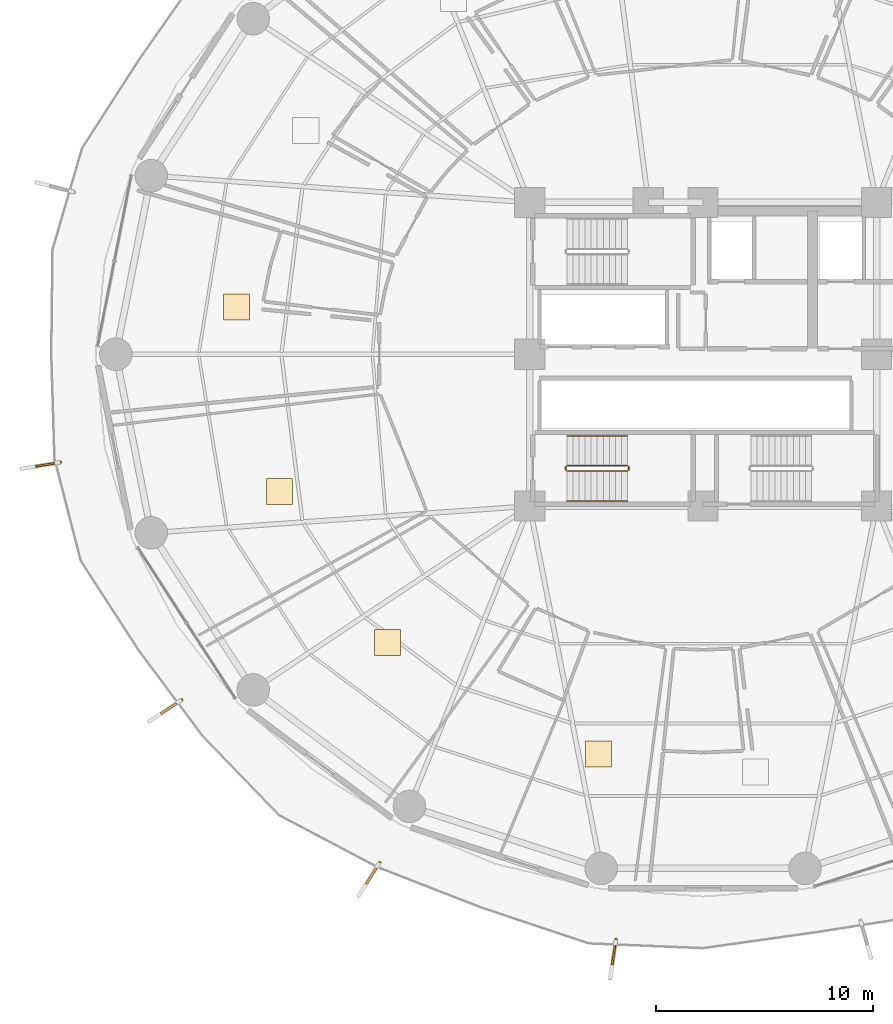
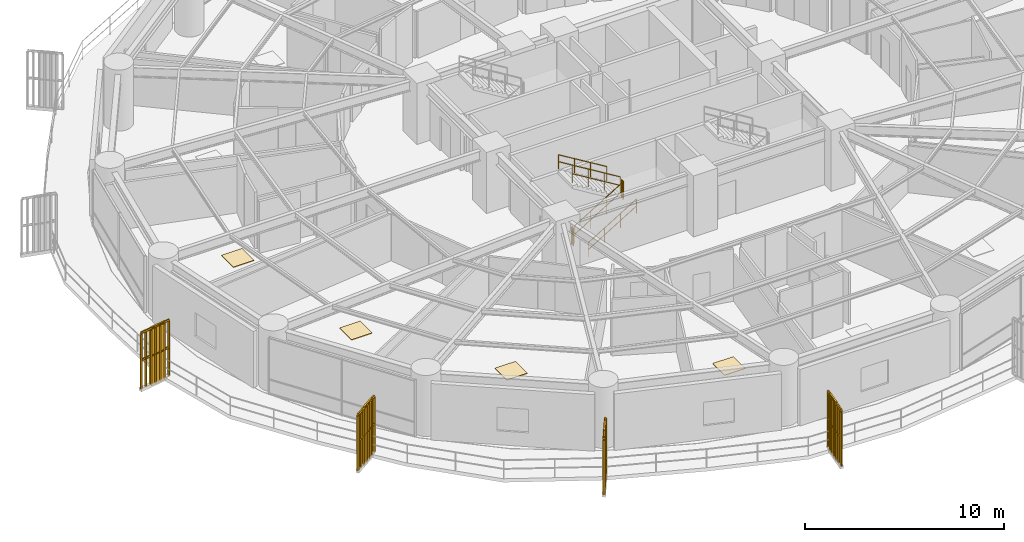
# One storey, part 29 of 33: 10 railings, 4 coverings, 4 shading devices.
"""IFC4 building model written with IfcOpenShell, lengths in metres."""

from ifc_helpers import new_model, si_unit, direction, frame, origin, origin_2d, place, context, subcontext, project, spatial, polyline, rectangle, outline, extrude, source, transform, mapped, material, layer, layer_set, type_object, element, save


model = new_model("IFC4")

# Units and contexts
model_context = context("Model", 3, precision=1e-05, world=origin(), true_north=direction((0.0, 1.0)))
body_context = subcontext(model_context, "Body", "Model", "MODEL_VIEW")
ifc_project = project(units=[si_unit("LENGTHUNIT", "METRE"), si_unit("AREAUNIT", "SQUARE_METRE"), si_unit("VOLUMEUNIT", "CUBIC_METRE"), si_unit("PLANEANGLEUNIT", "RADIAN"), si_unit("MASSUNIT", "GRAM", prefix="KILO")], contexts=[model_context])

# Site, building, storey
site_placement = place(None, origin())
site = spatial("IfcSite", under=ifc_project, at=site_placement, CompositionType="ELEMENT")
building_placement = place(site_placement, origin())
building = spatial("IfcBuilding", under=site, at=building_placement, Name="Kelanora Arch Commons", CompositionType="ELEMENT")
storey_placement = place(building_placement, frame((0.0, 0.0, 45.0)))
storey = spatial("IfcBuildingStorey", under=building, at=storey_placement, Name="L11", CompositionType="ELEMENT", Elevation=45.0)

# Railings
ifc_material_1 = material(Name="Anodised bronze vertical shading fin rib assembly")
railing_type_1 = type_object("IfcRailingType", Name="RAIL-FIN-BRZ", PredefinedType="BALUSTRADE", material=ifc_material_1)
railing_1_placement = place(storey_placement, frame((44.359375, 53.017578125, -0.02001953125)))
element("IfcRailing", 1, at=railing_1_placement, inside=storey, type_object=railing_type_1, Name="Sweeping Bronze Vertical Fin Blade L11-07", PredefinedType="BALUSTRADE", context=body_context, shape_type="SweptSolid", body=[
    extrude(outline(polyline([(0.06982421875, 0.0), (0.034912109375, 0.060546875), (-0.034912109375, 0.060546875), (-0.06982421875, 0.0), (-0.034912109375, -0.060546875), (0.034912109375, -0.060546875), (0.06982421875, 0.0)])), frame((0.0, 0.0, 3.419921875), z_axis=(-0.986155280732, -0.165824492412, 0.0), x_axis=(0.165824492412, -0.986155280732, 0.0)), (0.0, 0.0, 1.0), 1.804931640625),
    extrude(outline(polyline([(0.06982421875, 0.0), (0.034912109375, 0.060546875), (-0.034912109375, 0.060546875), (-0.06982421875, 0.0), (-0.034912109375, -0.060546875), (0.034912109375, -0.060546875), (0.06982421875, 0.0)])), frame((0.0, 0.0, 1.7451171875), z_axis=(-0.986155280732, -0.165824492412, 0.0), x_axis=(0.165824492412, -0.986155280732, 0.0)), (0.0, 0.0, 1.0), 1.804931640625),
    extrude(outline(polyline([(0.080078125, 0.0), (0.0400390625, 0.0693359375), (-0.0400390625, 0.0693359375), (-0.080078125, 0.0), (-0.0400390625, -0.0693359375), (0.0400390625, -0.0693359375), (0.080078125, 0.0)])), origin(), (0.0, 0.0, 1.0), 3.35009765625),
    extrude(outline(polyline([(0.080078125, 0.0), (0.0400390625, 0.0693359375), (-0.0400390625, 0.0693359375), (-0.080078125, 0.0), (-0.0400390625, -0.0693359375), (0.0400390625, -0.0693359375), (0.080078125, 0.0)])), frame((-0.296630859375, -0.0498046875, 0.0)), (0.0, 0.0, 1.0), 3.35009765625),
    extrude(outline(polyline([(0.080078125, 0.0), (0.0400390625, 0.0693359375), (-0.0400390625, 0.0693359375), (-0.080078125, 0.0), (-0.0400390625, -0.0693359375), (0.0400390625, -0.0693359375), (0.080078125, 0.0)])), frame((-0.59326171875, -0.099853515625, 0.0)), (0.0, 0.0, 1.0), 3.35009765625),
    extrude(outline(polyline([(0.080078125, 0.0), (0.0400390625, 0.0693359375), (-0.0400390625, 0.0693359375), (-0.080078125, 0.0), (-0.0400390625, -0.0693359375), (0.0400390625, -0.0693359375), (0.080078125, 0.0)])), frame((-0.89013671875, -0.149658203125, 0.0)), (0.0, 0.0, 1.0), 3.35009765625),
    extrude(outline(polyline([(0.080078125, 0.0), (0.0400390625, 0.0693359375), (-0.0400390625, 0.0693359375), (-0.080078125, 0.0), (-0.0400390625, -0.0693359375), (0.0400390625, -0.0693359375), (0.080078125, 0.0)])), frame((-1.186767578125, -0.199462890625, 0.0)), (0.0, 0.0, 1.0), 3.35009765625),
    extrude(outline(polyline([(0.080078125, 0.0), (0.0400390625, 0.0693359375), (-0.0400390625, 0.0693359375), (-0.080078125, 0.0), (-0.0400390625, -0.0693359375), (0.0400390625, -0.0693359375), (0.080078125, 0.0)])), frame((-1.4833984375, -0.24951171875, 0.0)), (0.0, 0.0, 1.0), 3.35009765625),
    extrude(outline(polyline([(0.080078125, 0.0), (0.0400390625, 0.0693359375), (-0.0400390625, 0.0693359375), (-0.080078125, 0.0), (-0.0400390625, -0.0693359375), (0.0400390625, -0.0693359375), (0.080078125, 0.0)])), frame((-1.780029296875, -0.29931640625, 0.0)), (0.0, 0.0, 1.0), 3.35009765625),
])
railing_2_placement = place(storey_placement, frame((49.95361328125, 42.05859375, -0.02001953125)))
element("IfcRailing", 2, at=railing_2_placement, inside=storey, type_object=railing_type_1, Name="Sweeping Bronze Vertical Fin Blade L11-08", PredefinedType="BALUSTRADE", context=body_context, shape_type="SweptSolid", body=[
    extrude(outline(polyline([(0.06982421875, 0.0), (0.034912109375, 0.060546875), (-0.034912109375, 0.060546875), (-0.06982421875, 0.0), (-0.034912109375, -0.060546875), (0.034912109375, -0.060546875), (0.06982421875, 0.0)])), frame((0.0, 0.0, 3.419921875), z_axis=(-0.833524652255, -0.552482265854, 0.0), x_axis=(0.552482265854, -0.833524652255, 0.0)), (0.0, 0.0, 1.0), 1.80517578125),
    extrude(outline(polyline([(0.06982421875, 0.0), (0.034912109375, 0.060546875), (-0.034912109375, 0.060546875), (-0.06982421875, 0.0), (-0.034912109375, -0.060546875), (0.034912109375, -0.060546875), (0.06982421875, 0.0)])), frame((0.0, 0.0, 1.7451171875), z_axis=(-0.833524652255, -0.552482265854, 0.0), x_axis=(0.552482265854, -0.833524652255, 0.0)), (0.0, 0.0, 1.0), 1.80517578125),
    extrude(outline(polyline([(0.080078125, 0.0), (0.0400390625, 0.0693359375), (-0.0400390625, 0.0693359375), (-0.080078125, 0.0), (-0.0400390625, -0.0693359375), (0.0400390625, -0.0693359375), (0.080078125, 0.0)])), origin(), (0.0, 0.0, 1.0), 3.35009765625),
    extrude(outline(polyline([(0.080078125, 0.0), (0.0400390625, 0.0693359375), (-0.0400390625, 0.0693359375), (-0.080078125, 0.0), (-0.0400390625, -0.0693359375), (0.0400390625, -0.0693359375), (0.080078125, 0.0)])), frame((-0.250732421875, -0.166259765625, 0.0)), (0.0, 0.0, 1.0), 3.35009765625),
    extrude(outline(polyline([(0.080078125, 0.0), (0.0400390625, 0.0693359375), (-0.0400390625, 0.0693359375), (-0.080078125, 0.0), (-0.0400390625, -0.0693359375), (0.0400390625, -0.0693359375), (0.080078125, 0.0)])), frame((-0.50146484375, -0.33251953125, 0.0)), (0.0, 0.0, 1.0), 3.35009765625),
    extrude(outline(polyline([(0.080078125, 0.0), (0.0400390625, 0.0693359375), (-0.0400390625, 0.0693359375), (-0.080078125, 0.0), (-0.0400390625, -0.0693359375), (0.0400390625, -0.0693359375), (0.080078125, 0.0)])), frame((-0.75244140625, -0.49853515625, 0.0)), (0.0, 0.0, 1.0), 3.35009765625),
    extrude(outline(polyline([(0.080078125, 0.0), (0.0400390625, 0.0693359375), (-0.0400390625, 0.0693359375), (-0.080078125, 0.0), (-0.0400390625, -0.0693359375), (0.0400390625, -0.0693359375), (0.080078125, 0.0)])), frame((-1.003173828125, -0.664794921875, 0.0)), (0.0, 0.0, 1.0), 3.35009765625),
    extrude(outline(polyline([(0.080078125, 0.0), (0.0400390625, 0.0693359375), (-0.0400390625, 0.0693359375), (-0.080078125, 0.0), (-0.0400390625, -0.0693359375), (0.0400390625, -0.0693359375), (0.080078125, 0.0)])), frame((-1.25390625, -0.8310546875, 0.0)), (0.0, 0.0, 1.0), 3.35009765625),
    extrude(outline(polyline([(0.080078125, 0.0), (0.0400390625, 0.0693359375), (-0.0400390625, 0.0693359375), (-0.080078125, 0.0), (-0.0400390625, -0.0693359375), (0.0400390625, -0.0693359375), (0.080078125, 0.0)])), frame((-1.504638671875, -0.997314453125, 0.0)), (0.0, 0.0, 1.0), 3.35009765625),
])
railing_3_placement = place(storey_placement, frame((59.083984375, 34.548583984375, -0.02001953125)))
element("IfcRailing", 3, at=railing_3_placement, inside=storey, type_object=railing_type_1, Name="Sweeping Bronze Vertical Fin Blade L11-09", PredefinedType="BALUSTRADE", context=body_context, shape_type="SweptSolid", body=[
    extrude(outline(polyline([(0.06982421875, 0.0), (0.034912109375, 0.060546875), (-0.034912109375, 0.060546875), (-0.06982421875, 0.0), (-0.034912109375, -0.060546875), (0.034912109375, -0.060546875), (0.06982421875, 0.0)])), frame((0.0, 0.0, 3.419921875), z_axis=(-0.536717942877, -0.843761725722, 0.0), x_axis=(0.843761725722, -0.536717942877, 0.0)), (0.0, 0.0, 1.0), 1.804931640625),
    extrude(outline(polyline([(0.06982421875, 0.0), (0.034912109375, 0.060546875), (-0.034912109375, 0.060546875), (-0.06982421875, 0.0), (-0.034912109375, -0.060546875), (0.034912109375, -0.060546875), (0.06982421875, 0.0)])), frame((0.0, 0.0, 1.7451171875), z_axis=(-0.536717942877, -0.843761725722, 0.0), x_axis=(0.843761725722, -0.536717942877, 0.0)), (0.0, 0.0, 1.0), 1.804931640625),
    extrude(outline(polyline([(0.080078125, 0.0), (0.0400390625, 0.0693359375), (-0.0400390625, 0.0693359375), (-0.080078125, 0.0), (-0.0400390625, -0.0693359375), (0.0400390625, -0.0693359375), (0.080078125, 0.0)])), origin(), (0.0, 0.0, 1.0), 3.35009765625),
    extrude(outline(polyline([(0.080078125, 0.0), (0.0400390625, 0.0693359375), (-0.0400390625, 0.0693359375), (-0.080078125, 0.0), (-0.0400390625, -0.0693359375), (0.0400390625, -0.0693359375), (0.080078125, 0.0)])), frame((-0.161376953125, -0.25390625, 0.0)), (0.0, 0.0, 1.0), 3.35009765625),
    extrude(outline(polyline([(0.080078125, 0.0), (0.0400390625, 0.0693359375), (-0.0400390625, 0.0693359375), (-0.080078125, 0.0), (-0.0400390625, -0.0693359375), (0.0400390625, -0.0693359375), (0.080078125, 0.0)])), frame((-0.322998046875, -0.507568359375, 0.0)), (0.0, 0.0, 1.0), 3.35009765625),
    extrude(outline(polyline([(0.080078125, 0.0), (0.0400390625, 0.0693359375), (-0.0400390625, 0.0693359375), (-0.080078125, 0.0), (-0.0400390625, -0.0693359375), (0.0400390625, -0.0693359375), (0.080078125, 0.0)])), frame((-0.484375, -0.761474609375, 0.0)), (0.0, 0.0, 1.0), 3.35009765625),
    extrude(outline(polyline([(0.080078125, 0.0), (0.0400390625, 0.0693359375), (-0.0400390625, 0.0693359375), (-0.080078125, 0.0), (-0.0400390625, -0.0693359375), (0.0400390625, -0.0693359375), (0.080078125, 0.0)])), frame((-0.645751953125, -1.015380859375, 0.0)), (0.0, 0.0, 1.0), 3.35009765625),
    extrude(outline(polyline([(0.080078125, 0.0), (0.0400390625, 0.0693359375), (-0.0400390625, 0.0693359375), (-0.080078125, 0.0), (-0.0400390625, -0.0693359375), (0.0400390625, -0.0693359375), (0.080078125, 0.0)])), frame((-0.807373046875, -1.26904296875, 0.0)), (0.0, 0.0, 1.0), 3.35009765625),
    extrude(outline(polyline([(0.080078125, 0.0), (0.0400390625, 0.0693359375), (-0.0400390625, 0.0693359375), (-0.080078125, 0.0), (-0.0400390625, -0.0693359375), (0.0400390625, -0.0693359375), (0.080078125, 0.0)])), frame((-0.96875, -1.52294921875, 0.0)), (0.0, 0.0, 1.0), 3.35009765625),
])
railing_4_placement = place(storey_placement, frame((69.985107421875, 31.001220703125, -0.02001953125)))
element("IfcRailing", 4, at=railing_4_placement, inside=storey, type_object=railing_type_1, Name="Sweeping Bronze Vertical Fin Blade L11-10", PredefinedType="BALUSTRADE", context=body_context, shape_type="SweptSolid", body=[
    extrude(outline(polyline([(0.06982421875, 0.0), (0.034912109375, 0.060546875), (-0.034912109375, 0.060546875), (-0.06982421875, 0.0), (-0.034912109375, -0.060546875), (0.034912109375, -0.060546875), (0.06982421875, 0.0)])), frame((0.0, 0.0, 3.419921875), z_axis=(-0.147024130781, -0.989132905614, 0.0), x_axis=(0.989132905614, -0.147024130781, 0.0)), (0.0, 0.0, 1.0), 1.804931640625),
    extrude(outline(polyline([(0.06982421875, 0.0), (0.034912109375, 0.060546875), (-0.034912109375, 0.060546875), (-0.06982421875, 0.0), (-0.034912109375, -0.060546875), (0.034912109375, -0.060546875), (0.06982421875, 0.0)])), frame((0.0, 0.0, 1.7451171875), z_axis=(-0.147024130781, -0.989132905614, 0.0), x_axis=(0.989132905614, -0.147024130781, 0.0)), (0.0, 0.0, 1.0), 1.804931640625),
    extrude(outline(polyline([(0.080078125, 0.0), (0.0400390625, 0.0693359375), (-0.0400390625, 0.0693359375), (-0.080078125, 0.0), (-0.0400390625, -0.0693359375), (0.0400390625, -0.0693359375), (0.080078125, 0.0)])), origin(), (0.0, 0.0, 1.0), 3.35009765625),
    extrude(outline(polyline([(0.080078125, 0.0), (0.0400390625, 0.0693359375), (-0.0400390625, 0.0693359375), (-0.080078125, 0.0), (-0.0400390625, -0.0693359375), (0.0400390625, -0.0693359375), (0.080078125, 0.0)])), frame((-0.044189453125, -0.297607421875, 0.0)), (0.0, 0.0, 1.0), 3.35009765625),
    extrude(outline(polyline([(0.080078125, 0.0), (0.0400390625, 0.0693359375), (-0.0400390625, 0.0693359375), (-0.080078125, 0.0), (-0.0400390625, -0.0693359375), (0.0400390625, -0.0693359375), (0.080078125, 0.0)])), frame((-0.08837890625, -0.59521484375, 0.0)), (0.0, 0.0, 1.0), 3.35009765625),
    extrude(outline(polyline([(0.080078125, 0.0), (0.0400390625, 0.0693359375), (-0.0400390625, 0.0693359375), (-0.080078125, 0.0), (-0.0400390625, -0.0693359375), (0.0400390625, -0.0693359375), (0.080078125, 0.0)])), frame((-0.1328125, -0.892578125, 0.0)), (0.0, 0.0, 1.0), 3.35009765625),
    extrude(outline(polyline([(0.080078125, 0.0), (0.0400390625, 0.0693359375), (-0.0400390625, 0.0693359375), (-0.080078125, 0.0), (-0.0400390625, -0.0693359375), (0.0400390625, -0.0693359375), (0.080078125, 0.0)])), frame((-0.177001953125, -1.190185546875, 0.0)), (0.0, 0.0, 1.0), 3.35009765625),
    extrude(outline(polyline([(0.080078125, 0.0), (0.0400390625, 0.0693359375), (-0.0400390625, 0.0693359375), (-0.080078125, 0.0), (-0.0400390625, -0.0693359375), (0.0400390625, -0.0693359375), (0.080078125, 0.0)])), frame((-0.22119140625, -1.48779296875, 0.0)), (0.0, 0.0, 1.0), 3.35009765625),
    extrude(outline(polyline([(0.080078125, 0.0), (0.0400390625, 0.0693359375), (-0.0400390625, 0.0693359375), (-0.080078125, 0.0), (-0.0400390625, -0.0693359375), (0.0400390625, -0.0693359375), (0.080078125, 0.0)])), frame((-0.265380859375, -1.785400390625, 0.0)), (0.0, 0.0, 1.0), 3.35009765625),
])
ifc_material_2 = material(Name="Painted steel stair well guard", Category="steel")
railing_type_2 = type_object("IfcRailingType", Name="RAIL-STAIR-GRD", PredefinedType="GUARDRAIL", material=ifc_material_2)
railing_5_placement = place(storey_placement, frame((67.719970703125, 52.610107421875, 0.17041015625)))
element("IfcRailing", 5, at=railing_5_placement, inside=storey, type_object=railing_type_2, Name="L11 ST-T3 stair guard 1", PredefinedType="GUARDRAIL", context=body_context, shape_type="SweptSolid", body=[
    extrude(outline(polyline([(0.02392578125, 0.0), (0.011962890625, 0.020751953125), (-0.011962890625, 0.020751953125), (-0.02392578125, 0.0), (-0.011962890625, -0.020751953125), (0.011962890625, -0.020751953125), (0.02392578125, 0.0)])), frame((0.0, 0.0, 1.076171875), z_axis=(0.854169791009, 0.0, 0.51999420009), x_axis=(0.0, 1.0, 0.0)), (0.0, 0.0, 1.0), 3.278076171875),
    extrude(outline(polyline([(0.02392578125, 0.0), (0.011962890625, 0.020751953125), (-0.011962890625, 0.020751953125), (-0.02392578125, 0.0), (-0.011962890625, -0.020751953125), (0.011962890625, -0.020751953125), (0.02392578125, 0.0)])), frame((0.0, 0.0, 0.550048828125), z_axis=(0.854169791009, 0.0, 0.51999420009), x_axis=(0.0, 1.0, 0.0)), (0.0, 0.0, 1.0), 3.278076171875),
    extrude(outline(polyline([(0.02099609375, 0.0), (0.010498046875, 0.01806640625), (-0.010498046875, 0.01806640625), (-0.02099609375, 0.0), (-0.010498046875, -0.01806640625), (0.010498046875, -0.01806640625), (0.02099609375, 0.0)])), origin(), (0.0, 0.0, 1.0), 1.052001953125),
    extrude(outline(polyline([(0.02099609375, 0.0), (0.010498046875, 0.01806640625), (-0.010498046875, 0.01806640625), (-0.02099609375, 0.0), (-0.010498046875, -0.01806640625), (0.010498046875, -0.01806640625), (0.02099609375, 0.0)])), frame((0.933349609375, 0.0, 0.568115234375)), (0.0, 0.0, 1.0), 1.052001953125),
    extrude(outline(polyline([(0.02099609375, 0.0), (0.010498046875, 0.01806640625), (-0.010498046875, 0.01806640625), (-0.02099609375, 0.0), (-0.010498046875, -0.01806640625), (0.010498046875, -0.01806640625), (0.02099609375, 0.0)])), frame((1.86669921875, 0.0, 1.136474609375)), (0.0, 0.0, 1.0), 1.052001953125),
    extrude(outline(polyline([(0.02099609375, 0.0), (0.010498046875, 0.01806640625), (-0.010498046875, 0.01806640625), (-0.02099609375, 0.0), (-0.010498046875, -0.01806640625), (0.010498046875, -0.01806640625), (0.02099609375, 0.0)])), frame((2.800048828125, 0.0, 1.70458984375)), (0.0, 0.0, 1.0), 1.052001953125),
])
railing_6_placement = place(storey_placement, frame((70.570068359375, 52.659912109375, 1.875)))
element("IfcRailing", 6, at=railing_6_placement, inside=storey, type_object=railing_type_2, Name="L11 ST-T3 stair guard 2", PredefinedType="GUARDRAIL", context=body_context, shape_type="SweptSolid", body=[
    extrude(outline(polyline([(0.02392578125, 0.0), (0.011962890625, 0.020751953125), (-0.011962890625, 0.020751953125), (-0.02392578125, 0.0), (-0.011962890625, -0.020751953125), (0.011962890625, -0.020751953125), (0.02392578125, 0.0)])), frame((0.0, 0.0, 1.076171875), z_axis=(0.0, 1.0, 0.0), x_axis=(-1.0, 0.0, 0.0)), (0.0, 0.0, 1.0), 0.150146484375),
    extrude(outline(polyline([(0.02392578125, 0.0), (0.011962890625, 0.020751953125), (-0.011962890625, 0.020751953125), (-0.02392578125, 0.0), (-0.011962890625, -0.020751953125), (0.011962890625, -0.020751953125), (0.02392578125, 0.0)])), frame((0.0, 0.0, 0.550048828125), z_axis=(0.0, 1.0, 0.0), x_axis=(-1.0, 0.0, 0.0)), (0.0, 0.0, 1.0), 0.150146484375),
    extrude(outline(polyline([(0.02099609375, 0.0), (0.010498046875, 0.01806640625), (-0.010498046875, 0.01806640625), (-0.02099609375, 0.0), (-0.010498046875, -0.01806640625), (0.010498046875, -0.01806640625), (0.02099609375, 0.0)])), origin(), (0.0, 0.0, 1.0), 1.052001953125),
    extrude(outline(polyline([(0.02099609375, 0.0), (0.010498046875, 0.01806640625), (-0.010498046875, 0.01806640625), (-0.02099609375, 0.0), (-0.010498046875, -0.01806640625), (0.010498046875, -0.01806640625), (0.02099609375, 0.0)])), frame((0.0, 0.150146484375, 0.0)), (0.0, 0.0, 1.0), 1.052001953125),
])
railing_7_placement = place(storey_placement, frame((70.52001953125, 52.860107421875, 2.04541015625)))
element("IfcRailing", 7, at=railing_7_placement, inside=storey, type_object=railing_type_2, Name="L11 ST-T3 stair guard 3", PredefinedType="GUARDRAIL", context=body_context, shape_type="SweptSolid", body=[
    extrude(outline(polyline([(0.02392578125, 0.0), (0.011962890625, 0.020751953125), (-0.011962890625, 0.020751953125), (-0.02392578125, 0.0), (-0.011962890625, -0.020751953125), (0.011962890625, -0.020751953125), (0.02392578125, 0.0)])), frame((0.0, 0.0, 1.076171875), z_axis=(-0.854169791009, 0.0, 0.51999420009), x_axis=(0.0, -1.0, 0.0)), (0.0, 0.0, 1.0), 3.278076171875),
    extrude(outline(polyline([(0.02392578125, 0.0), (0.011962890625, 0.020751953125), (-0.011962890625, 0.020751953125), (-0.02392578125, 0.0), (-0.011962890625, -0.020751953125), (0.011962890625, -0.020751953125), (0.02392578125, 0.0)])), frame((0.0, 0.0, 0.550048828125), z_axis=(-0.854169791009, 0.0, 0.51999420009), x_axis=(0.0, -1.0, 0.0)), (0.0, 0.0, 1.0), 3.278076171875),
    extrude(outline(polyline([(0.02099609375, 0.0), (0.010498046875, 0.01806640625), (-0.010498046875, 0.01806640625), (-0.02099609375, 0.0), (-0.010498046875, -0.01806640625), (0.010498046875, -0.01806640625), (0.02099609375, 0.0)])), origin(), (0.0, 0.0, 1.0), 1.052001953125),
    extrude(outline(polyline([(0.02099609375, 0.0), (0.010498046875, 0.01806640625), (-0.010498046875, 0.01806640625), (-0.02099609375, 0.0), (-0.010498046875, -0.01806640625), (0.010498046875, -0.01806640625), (0.02099609375, 0.0)])), frame((-0.933349609375, 0.0, 0.568115234375)), (0.0, 0.0, 1.0), 1.052001953125),
    extrude(outline(polyline([(0.02099609375, 0.0), (0.010498046875, 0.01806640625), (-0.010498046875, 0.01806640625), (-0.02099609375, 0.0), (-0.010498046875, -0.01806640625), (0.010498046875, -0.01806640625), (0.02099609375, 0.0)])), frame((-1.86669921875, 0.0, 1.136474609375)), (0.0, 0.0, 1.0), 1.052001953125),
    extrude(outline(polyline([(0.02099609375, 0.0), (0.010498046875, 0.01806640625), (-0.010498046875, 0.01806640625), (-0.02099609375, 0.0), (-0.010498046875, -0.01806640625), (0.010498046875, -0.01806640625), (0.02099609375, 0.0)])), frame((-2.800048828125, 0.0, 1.70458984375)), (0.0, 0.0, 1.0), 1.052001953125),
])
railing_8_placement = place(storey_placement, frame((67.669921875, 52.659912109375, 0.0)))
element("IfcRailing", 8, at=railing_8_placement, inside=storey, type_object=railing_type_2, Name="L11 ST-T3 stair guard 4", PredefinedType="GUARDRAIL", context=body_context, shape_type="SweptSolid", body=[
    extrude(outline(polyline([(0.02392578125, 0.0), (0.011962890625, 0.020751953125), (-0.011962890625, 0.020751953125), (-0.02392578125, 0.0), (-0.011962890625, -0.020751953125), (0.011962890625, -0.020751953125), (0.02392578125, 0.0)])), frame((0.0, 0.0, 1.076171875), z_axis=(0.0, 1.0, 0.0), x_axis=(-1.0, 0.0, 0.0)), (0.0, 0.0, 1.0), 0.150146484375),
    extrude(outline(polyline([(0.02392578125, 0.0), (0.011962890625, 0.020751953125), (-0.011962890625, 0.020751953125), (-0.02392578125, 0.0), (-0.011962890625, -0.020751953125), (0.011962890625, -0.020751953125), (0.02392578125, 0.0)])), frame((0.0, 0.0, 0.550048828125), z_axis=(0.0, 1.0, 0.0), x_axis=(-1.0, 0.0, 0.0)), (0.0, 0.0, 1.0), 0.150146484375),
    extrude(outline(polyline([(0.02099609375, 0.0), (0.010498046875, 0.01806640625), (-0.010498046875, 0.01806640625), (-0.02099609375, 0.0), (-0.010498046875, -0.01806640625), (0.010498046875, -0.01806640625), (0.02099609375, 0.0)])), origin(), (0.0, 0.0, 1.0), 1.052001953125),
    extrude(outline(polyline([(0.02099609375, 0.0), (0.010498046875, 0.01806640625), (-0.010498046875, 0.01806640625), (-0.02099609375, 0.0), (-0.010498046875, -0.01806640625), (0.010498046875, -0.01806640625), (0.02099609375, 0.0)])), frame((0.0, 0.150146484375, 0.0)), (0.0, 0.0, 1.0), 1.052001953125),
])
ifc_material_3 = material(Name="Brushed stainless steel stair handrail", Category="steel")
railing_type_3 = type_object("IfcRailingType", Name="RAIL-STAIR-HND", PredefinedType="HANDRAIL", material=ifc_material_3)
railing_9_placement = place(storey_placement, frame((67.719970703125, 51.22998046875, 0.17041015625)))
element("IfcRailing", 9, at=railing_9_placement, inside=storey, type_object=railing_type_3, Name="L11 ST-T3 stair handrail 1", PredefinedType="HANDRAIL", context=body_context, shape_type="SweptSolid", body=[
    extrude(outline(polyline([(0.02392578125, 0.0), (0.011962890625, 0.020751953125), (-0.011962890625, 0.020751953125), (-0.02392578125, 0.0), (-0.011962890625, -0.020751953125), (0.011962890625, -0.020751953125), (0.02392578125, 0.0)])), frame((0.0, 0.0, 0.8759765625), z_axis=(0.854169791009, 0.0, 0.51999420009), x_axis=(0.0, 1.0, 0.0)), (0.0, 0.0, 1.0), 3.278076171875),
    extrude(outline(polyline([(0.02392578125, 0.0), (0.011962890625, 0.020751953125), (-0.011962890625, 0.020751953125), (-0.02392578125, 0.0), (-0.011962890625, -0.020751953125), (0.011962890625, -0.020751953125), (0.02392578125, 0.0)])), frame((0.0, 0.0, 0.449951171875), z_axis=(0.854169791009, 0.0, 0.51999420009), x_axis=(0.0, 1.0, 0.0)), (0.0, 0.0, 1.0), 3.278076171875),
    extrude(outline(polyline([(0.02099609375, 0.0), (0.010498046875, 0.01806640625), (-0.010498046875, 0.01806640625), (-0.02099609375, 0.0), (-0.010498046875, -0.01806640625), (0.010498046875, -0.01806640625), (0.02099609375, 0.0)])), origin(), (0.0, 0.0, 1.0), 0.851806640625),
    extrude(outline(polyline([(0.02099609375, 0.0), (0.010498046875, 0.01806640625), (-0.010498046875, 0.01806640625), (-0.02099609375, 0.0), (-0.010498046875, -0.01806640625), (0.010498046875, -0.01806640625), (0.02099609375, 0.0)])), frame((0.933349609375, 0.0, 0.568115234375)), (0.0, 0.0, 1.0), 0.851806640625),
    extrude(outline(polyline([(0.02099609375, 0.0), (0.010498046875, 0.01806640625), (-0.010498046875, 0.01806640625), (-0.02099609375, 0.0), (-0.010498046875, -0.01806640625), (0.010498046875, -0.01806640625), (0.02099609375, 0.0)])), frame((1.86669921875, 0.0, 1.136474609375)), (0.0, 0.0, 1.0), 0.851806640625),
    extrude(outline(polyline([(0.02099609375, 0.0), (0.010498046875, 0.01806640625), (-0.010498046875, 0.01806640625), (-0.02099609375, 0.0), (-0.010498046875, -0.01806640625), (0.010498046875, -0.01806640625), (0.02099609375, 0.0)])), frame((2.800048828125, 0.0, 1.70458984375)), (0.0, 0.0, 1.0), 0.851806640625),
])
railing_10_placement = place(storey_placement, frame((70.52001953125, 54.239990234375, 2.04541015625)))
element("IfcRailing", 10, at=railing_10_placement, inside=storey, type_object=railing_type_3, Name="L11 ST-T3 stair handrail 2", PredefinedType="HANDRAIL", context=body_context, shape_type="SweptSolid", body=[
    extrude(outline(polyline([(0.02392578125, 0.0), (0.011962890625, 0.020751953125), (-0.011962890625, 0.020751953125), (-0.02392578125, 0.0), (-0.011962890625, -0.020751953125), (0.011962890625, -0.020751953125), (0.02392578125, 0.0)])), frame((0.0, 0.0, 0.8759765625), z_axis=(-0.854169791009, 0.0, 0.51999420009), x_axis=(0.0, -1.0, 0.0)), (0.0, 0.0, 1.0), 3.278076171875),
    extrude(outline(polyline([(0.02392578125, 0.0), (0.011962890625, 0.020751953125), (-0.011962890625, 0.020751953125), (-0.02392578125, 0.0), (-0.011962890625, -0.020751953125), (0.011962890625, -0.020751953125), (0.02392578125, 0.0)])), frame((0.0, 0.0, 0.449951171875), z_axis=(-0.854169791009, 0.0, 0.51999420009), x_axis=(0.0, -1.0, 0.0)), (0.0, 0.0, 1.0), 3.278076171875),
    extrude(outline(polyline([(0.02099609375, 0.0), (0.010498046875, 0.01806640625), (-0.010498046875, 0.01806640625), (-0.02099609375, 0.0), (-0.010498046875, -0.01806640625), (0.010498046875, -0.01806640625), (0.02099609375, 0.0)])), origin(), (0.0, 0.0, 1.0), 0.851806640625),
    extrude(outline(polyline([(0.02099609375, 0.0), (0.010498046875, 0.01806640625), (-0.010498046875, 0.01806640625), (-0.02099609375, 0.0), (-0.010498046875, -0.01806640625), (0.010498046875, -0.01806640625), (0.02099609375, 0.0)])), frame((-0.933349609375, 0.0, 0.568115234375)), (0.0, 0.0, 1.0), 0.851806640625),
    extrude(outline(polyline([(0.02099609375, 0.0), (0.010498046875, 0.01806640625), (-0.010498046875, 0.01806640625), (-0.02099609375, 0.0), (-0.010498046875, -0.01806640625), (0.010498046875, -0.01806640625), (0.02099609375, 0.0)])), frame((-1.86669921875, 0.0, 1.136474609375)), (0.0, 0.0, 1.0), 0.851806640625),
    extrude(outline(polyline([(0.02099609375, 0.0), (0.010498046875, 0.01806640625), (-0.010498046875, 0.01806640625), (-0.02099609375, 0.0), (-0.010498046875, -0.01806640625), (0.010498046875, -0.01806640625), (0.02099609375, 0.0)])), frame((-2.800048828125, 0.0, 1.70458984375)), (0.0, 0.0, 1.0), 0.851806640625),
])

# Shading devices
ifc_material_4 = material(Name="Terracotta ceramic-clad extruded aluminium fin", Category="masonry")
shading_device_type = type_object("IfcShadingDeviceType", Name="SHD-FIN-FLARE", PredefinedType="USERDEFINED", material=ifc_material_4)
shared_shape_1 = source(origin(), body_context, "Body", "SweptSolid", [
    extrude(rectangle(XDim=0.8798828125, YDim=0.090087890625, at=origin_2d()), origin(), (0.0, 0.0, 1.0), 3.610107421875),
])
for number, where, z_axis, x_axis, name in (
    (11, (43.6494140625, 52.898193359375, -0.14013671875), (0.0, 0.0, 1.0), (-0.986170136229, -0.165736122828, 0.0), "Sweeping Terracotta Fin L11-07"),
    (12, (49.353515625, 41.66064453125, -0.14013671875), (0.0, 0.0, 1.0), (-0.833500294179, -0.552519012888, 0.0), "Sweeping Terracotta Fin L11-08"),
    (13, (58.697509765625, 33.941162109375, -0.14013671875), (0.0, 0.0, 1.0), (-0.536710679153, -0.843766346142, 0.0), "Sweeping Terracotta Fin L11-09"),
    (14, (69.87939453125, 30.288818359375, -0.14013671875), (0.0, 0.0, 1.0), (-0.147118911839, -0.989118812772, 0.0), "Sweeping Terracotta Fin L11-10"),
):
    element("IfcShadingDevice", number, at=place(storey_placement, frame(where, z_axis=z_axis, x_axis=x_axis)), inside=storey, type_object=shading_device_type, Name=name, ObjectType="FIN", PredefinedType="USERDEFINED", context=body_context, shape_type="MappedRepresentation", body=[
        mapped(shared_shape_1, transform((0.0, 0.0, 0.0), scale=1.0)),
    ])

# Coverings
ifc_material_5 = material(Name="Polished local granite terrazzo flooring", Category="masonry")
ifc_layer = layer(ifc_material_5, 0.030029296875)
ifc_layer_set = layer_set([ifc_layer], Name="Polished local granite terrazzo flooring")
covering_type = type_object("IfcCoveringType", Name="COV-FLR-TER", PredefinedType="FLOORING", material=ifc_layer_set)
shared_shape_2 = source(origin(), body_context, "Body", "SweptSolid", [
    extrude(rectangle(XDim=1.199951171875, YDim=1.199951171875, at=origin_2d()), origin(), (0.0, 0.0, 1.0), 0.030029296875),
])
for number, where, z_axis, x_axis, name in (
    (15, (52.49462890625, 60.169677734375, 0.0), (0.0, 0.0, 1.0), (1.0, 0.0, 0.0), "Co-Living Studio L11-07 Terrazzo Finish"),
    (16, (54.457275390625, 51.672607421875, 0.0), (0.0, 0.0, 1.0), (1.0, 0.0, 0.0), "Quiet Seminar Study Room L11-08 Terrazzo Finish"),
    (17, (59.45458984375, 44.697265625, 0.0), (0.0, 0.0, 1.0), (1.0, 0.0, 0.0), "Social Sky Lounge L11-09 Terrazzo Finish"),
    (18, (69.173583984375, 39.57470703125, 0.0), (0.0, 0.0, 1.0), (1.0, 0.0, 0.0), "Tutorial Study Alcove L11-10 Terrazzo Finish"),
):
    element("IfcCovering", number, at=place(storey_placement, frame(where, z_axis=z_axis, x_axis=x_axis)), inside=storey, type_object=covering_type, Name=name, PredefinedType="FLOORING", context=body_context, shape_type="MappedRepresentation", body=[
        mapped(shared_shape_2, transform((0.0, 0.0, 0.0), scale=1.0)),
    ])

save(model, "model.ifc")
